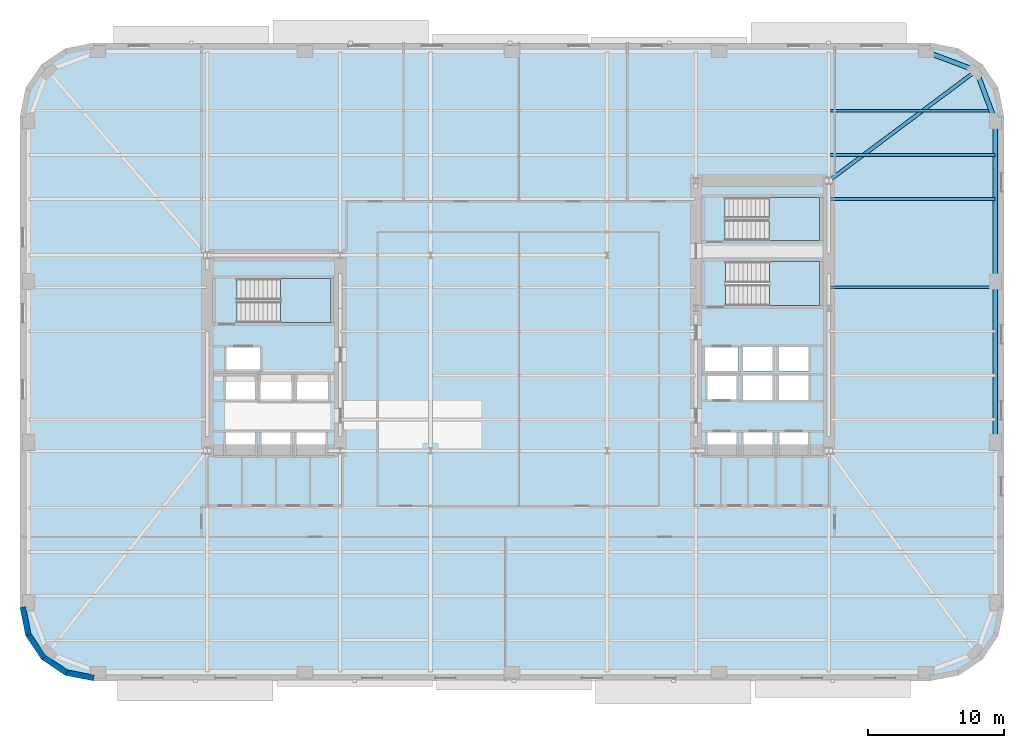
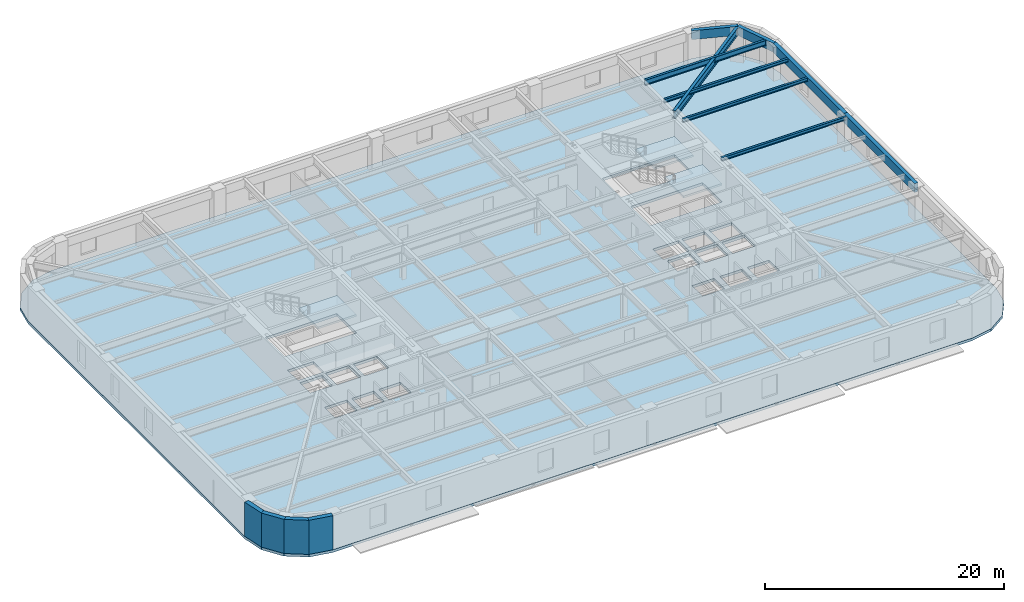
# One storey, part 3 of 15: 9 beams, 4 slabs, 4 walls, 3 elements without a shape of their own.
"""IFC4 building model written with IfcOpenShell, lengths in metres."""

from ifc_helpers import new_model, si_unit, direction, frame, frame_2d, origin, origin_2d, place, context, subcontext, project, spatial, polyline, rectangle, hollow_rectangle, i_section, outline, extrude, material, layer, layer_set, material_profile, profile_set, type_object, element, aggregate, save


model = new_model("IFC4")

# Units and contexts
model_context = context("Model", 3, precision=1e-05, world=origin(), true_north=direction((0.0, 1.0)))
body_context = subcontext(model_context, "Body", "Model", "MODEL_VIEW")
ifc_project = project(units=[si_unit("LENGTHUNIT", "METRE"), si_unit("AREAUNIT", "SQUARE_METRE"), si_unit("VOLUMEUNIT", "CUBIC_METRE"), si_unit("PLANEANGLEUNIT", "RADIAN"), si_unit("MASSUNIT", "GRAM", prefix="KILO")], contexts=[model_context])

# Site, building, storey
site_placement = place(None, origin())
site = spatial("IfcSite", under=ifc_project, at=site_placement, CompositionType="ELEMENT")
building_placement = place(site_placement, origin())
building = spatial("IfcBuilding", under=site, at=building_placement, Name="Kolvaren Arena Tower", CompositionType="ELEMENT")
storey_placement = place(building_placement, frame((0.0, 0.0, 45.75)))
storey = spatial("IfcBuildingStorey", under=building, at=storey_placement, Name="L08", CompositionType="ELEMENT", Elevation=45.75)

# Beams
ifc_material_1 = material(Name="Steel CSA G40.21 350W", Category="steel")
ifc_material_profile_1 = material_profile(ifc_material_1, i_section(OverallWidth=0.2119140625, OverallDepth=0.54296875, WebThickness=0.01318359375, FlangeThickness=0.0244140625, FilletRadius=0.013916015625, at=origin_2d()), Name="W530x150")
ifc_profile_set_1 = profile_set([ifc_material_profile_1], Name="Steel CSA G40.21 350W")
beam_type_1 = type_object("IfcBeamType", Name="BEAM-F1", PredefinedType="BEAM", material=ifc_profile_set_1)
beam_1_placement = place(storey_placement, frame((60.485107421875, 44.5, 3.20849609375), z_axis=(1.0, 0.0, 0.0), x_axis=(0.0, 1.0, 0.0)))
element("IfcBeam", 1, at=beam_1_placement, inside=storey, type_object=beam_type_1, Name="Composite Floor Beam (L08)", PredefinedType="BEAM", context=body_context, shape_type="SweptSolid", body=[
    extrude(i_section(OverallWidth=0.2119140625, OverallDepth=0.54296875, WebThickness=0.01318359375, FlangeThickness=0.0244140625, FilletRadius=0.013916015625, at=origin_2d()), origin(), (0.0, 0.0, 1.0), 11.83349609375),
])
ifc_material_profile_2 = material_profile(ifc_material_1, i_section(OverallWidth=0.27001953125, OverallDepth=0.77294921875, WebThickness=0.019287109375, FlangeThickness=0.033447265625, FilletRadius=0.01806640625, at=origin_2d()), Name="W760x257")
ifc_profile_set_2 = profile_set([ifc_material_profile_2], Name="Steel CSA G40.21 350W")
beam_type_2 = type_object("IfcBeamType", Name="GIRD-T1", PredefinedType="BEAM", material=ifc_profile_set_2)
beam_2_placement = place(storey_placement, frame((71.208740234375, 47.458740234375, 3.093505859375), z_axis=(-0.801249936397, -0.598329791523, 0.0), x_axis=(0.598329791523, -0.801249936397, 0.0)))
element("IfcBeam", 2, at=beam_2_placement, inside=storey, type_object=beam_type_2, Name="Corner Diagonal Tie Girder (L08)", PredefinedType="BEAM", context=body_context, shape_type="SweptSolid", body=[
    extrude(i_section(OverallWidth=0.27001953125, OverallDepth=0.77294921875, WebThickness=0.019287109375, FlangeThickness=0.033447265625, FilletRadius=0.01806640625, at=origin_2d()), origin(), (0.0, 0.0, 1.0), 13.55224609375),
])
ifc_material_profile_3 = material_profile(ifc_material_1, i_section(OverallWidth=0.202880859375, OverallDepth=0.346923828125, WebThickness=0.0078125, FlangeThickness=0.013427734375, FilletRadius=0.010986328125, at=origin_2d()), Name="W360x64")
ifc_profile_set_3 = profile_set([ifc_material_profile_3], Name="Steel CSA G40.21 350W")
beam_type_3 = type_object("IfcBeamType", Name="JOIST-01", PredefinedType="JOIST", material=ifc_profile_set_3)
for number, where, z_axis, x_axis, name in (
    (3, (60.3701171875, 31.5, 3.306396484375), (1.0, 0.0, 0.0), (0.0, 1.0, 0.0), "Composite Floor Joist (L08)"),
    (4, (60.3701171875, 38.0, 3.306396484375), (1.0, 0.0, 0.0), (0.0, 1.0, 0.0), "Composite Floor Joist (L08)"),
):
    element("IfcBeam", number, at=place(storey_placement, frame(where, z_axis=z_axis, x_axis=x_axis)), inside=storey, type_object=beam_type_3, Name=name, PredefinedType="JOIST", context=body_context, shape_type="SweptSolid", body=[
        extrude(i_section(OverallWidth=0.202880859375, OverallDepth=0.346923828125, WebThickness=0.0078125, FlangeThickness=0.013427734375, FilletRadius=0.010986328125, at=origin_2d()), origin(), (0.0, 0.0, 1.0), 12.22998046875),
    ])
beam_3_placement = place(storey_placement, frame((60.485107421875, 41.25, 3.306396484375), z_axis=(1.0, 0.0, 0.0), x_axis=(0.0, 1.0, 0.0)))
element("IfcBeam", 5, at=beam_3_placement, inside=storey, type_object=beam_type_3, Name="Composite Floor Joist (L08)", PredefinedType="JOIST", context=body_context, shape_type="SweptSolid", body=[
    extrude(i_section(OverallWidth=0.202880859375, OverallDepth=0.346923828125, WebThickness=0.0078125, FlangeThickness=0.013427734375, FilletRadius=0.010986328125, at=origin_2d()), origin(), (0.0, 0.0, 1.0), 12.114990234375),
])
ifc_material_2 = material(Name="Steel CSA G40.21 350WT", Category="steel")
ifc_material_profile_4 = material_profile(ifc_material_2, hollow_rectangle(XDim=0.35009765625, YDim=0.89990234375, WallThickness=0.02001953125, at=origin_2d()), Name="HSS 900x350x20")
ifc_profile_set_4 = profile_set([ifc_material_profile_4], Name="Steel CSA G40.21 350WT")
beam_type_4 = type_object("IfcBeamType", Name="SPAND-01", PredefinedType="SPANDREL", material=ifc_profile_set_4)
beam_4_placement = place(storey_placement, frame((72.60009765625, 20.083251953125, 3.030029296875), z_axis=(0.0, 1.0, 0.0), x_axis=(-1.0, 0.0, 0.0)))
element("IfcBeam", 6, at=beam_4_placement, inside=storey, type_object=beam_type_4, Name="Perimeter Spandrel Beam (L08)", PredefinedType="SPANDREL", context=body_context, shape_type="SweptSolid", body=[
    extrude(hollow_rectangle(XDim=0.35009765625, YDim=0.89990234375, WallThickness=0.02001953125, at=origin_2d()), origin(), (0.0, 0.0, 1.0), 11.83349609375),
])
beam_5_placement = place(storey_placement, frame((72.60009765625, 31.916748046875, 3.030029296875), z_axis=(0.0, 1.0, 0.0), x_axis=(-1.0, 0.0, 0.0)))
element("IfcBeam", 7, at=beam_5_placement, inside=storey, type_object=beam_type_4, Name="Perimeter Spandrel Beam (L08)", PredefinedType="SPANDREL", context=body_context, shape_type="SweptSolid", body=[
    extrude(hollow_rectangle(XDim=0.35009765625, YDim=0.89990234375, WallThickness=0.02001953125, at=origin_2d()), origin(), (0.0, 0.0, 1.0), 11.833251953125),
])
for number, where, z_axis, x_axis, name in (
    (8, (72.60009765625, 43.75, 3.030029296875), (-0.351251771955, 0.93628104365, 0.0), (-0.93628104365, -0.351251771955, 0.0), "Perimeter Spandrel Beam (L08)"),
    (9, (71.208740234375, 47.458740234375, 3.030029296875), (-0.93628104365, 0.351251771955, 0.0), (-0.351251771955, -0.93628104365, 0.0), "Perimeter Spandrel Beam (L08)"),
):
    element("IfcBeam", number, at=place(storey_placement, frame(where, z_axis=z_axis, x_axis=x_axis)), inside=storey, type_object=beam_type_4, Name=name, PredefinedType="SPANDREL", context=body_context, shape_type="SweptSolid", body=[
        extrude(hollow_rectangle(XDim=0.35009765625, YDim=0.89990234375, WallThickness=0.02001953125, at=origin_2d()), origin(), (0.0, 0.0, 1.0), 3.961181640625),
    ])

# Stair, slab
ifc_material_3 = material(Name="Concrete 45 MPa", Category="concrete")
stair_type_1 = type_object("IfcStairType", Name="STAIR-CORE-165", PredefinedType="HALF_TURN_STAIR", material=ifc_material_3)
stair_1_placement = place(storey_placement, origin())
stair_1 = element("IfcStair", 10, at=stair_1_placement, inside=storey, type_object=stair_type_1, Name="L08 ST-W1", PredefinedType="HALF_TURN_STAIR")
ifc_layer_1 = layer(ifc_material_3, 0.199951171875)
ifc_layer_set_1 = layer_set([ifc_layer_1], Name="Concrete 45 MPa")
slab_type_1 = type_object("IfcSlabType", Name="SLAB-LAND", PredefinedType="LANDING", material=ifc_layer_set_1)
slab_1_placement = place(storey_placement, frame((0.0, 0.0, 1.675048828125)))
slab_1 = element("IfcSlab", 11, at=slab_1_placement, type_object=slab_type_1, Name="ST-W1 landing 1", PredefinedType="LANDING", context=body_context, shape_type="SweptSolid", body=[
    extrude(outline(polyline([(19.9599609375, 28.89990234375), (23.659912109375, 28.89990234375), (23.659912109375, 32.1298828125), (19.9599609375, 32.1298828125), (19.9599609375, 28.89990234375)])), origin(), (0.0, 0.0, 1.0), 0.199951171875),
])
aggregate(stair_1, [slab_1])

stair_2_placement = place(storey_placement, origin())
stair_2 = element("IfcStair", 12, at=stair_2_placement, inside=storey, type_object=stair_type_1, Name="L08 ST-E1", PredefinedType="HALF_TURN_STAIR")
slab_2_placement = place(storey_placement, frame((0.0, 0.0, 1.675048828125)))
slab_2 = element("IfcSlab", 13, at=slab_2_placement, type_object=slab_type_1, Name="ST-E1 landing 1", PredefinedType="LANDING", context=body_context, shape_type="SweptSolid", body=[
    extrude(outline(polyline([(55.9599609375, 30.14990234375), (59.659912109375, 30.14990234375), (59.659912109375, 33.3798828125), (55.9599609375, 33.3798828125), (55.9599609375, 30.14990234375)])), origin(), (0.0, 0.0, 1.0), 0.199951171875),
])
aggregate(stair_2, [slab_2])

stair_type_2 = type_object("IfcStairType", Name="STAIR-CORE-150", PredefinedType="HALF_TURN_STAIR", material=ifc_material_3)
stair_3_placement = place(storey_placement, origin())
stair_3 = element("IfcStair", 14, at=stair_3_placement, inside=storey, type_object=stair_type_2, Name="L08 ST-E2", PredefinedType="HALF_TURN_STAIR")
slab_3_placement = place(storey_placement, frame((0.0, 0.0, 1.675048828125)))
slab_3 = element("IfcSlab", 15, at=slab_3_placement, type_object=slab_type_1, Name="ST-E2 landing 1", PredefinedType="LANDING", context=body_context, shape_type="SweptSolid", body=[
    extrude(outline(polyline([(55.919921875, 34.949951171875), (59.659912109375, 34.949951171875), (59.659912109375, 38.10009765625), (55.919921875, 38.10009765625), (55.919921875, 34.949951171875)])), origin(), (0.0, 0.0, 1.0), 0.199951171875),
])
aggregate(stair_3, [slab_3])

# Slab
ifc_layer_2 = layer(ifc_material_3, 0.27001953125)
ifc_layer_set_2 = layer_set([ifc_layer_2], Name="Concrete 45 MPa")
slab_type_2 = type_object("IfcSlabType", Name="SLAB-OFF2", PredefinedType="FLOOR", material=ifc_layer_set_2)
slab_4_placement = place(storey_placement, frame((0.0, 0.0, -0.27001953125)))
element("IfcSlab", 16, at=slab_4_placement, inside=storey, type_object=slab_type_2, Name="L08 Primary Structural Slab", PredefinedType="FLOOR", context=body_context, shape_type="SweptSolid", body=[
    extrude(outline(polyline([(67.85009765625, 2.5), (69.91650390625, 2.9111328125), (71.66845703125, 4.08154296875), (72.8388671875, 5.83349609375), (73.25, 7.89990234375), (73.25, 44.10009765625), (72.8388671875, 46.16650390625), (71.66845703125, 47.91845703125), (69.91650390625, 49.0888671875), (67.85009765625, 49.5), (6.14990234375, 49.5), (4.08349609375, 49.0888671875), (2.33154296875, 47.91845703125), (1.1611328125, 46.16650390625), (0.75, 44.10009765625), (0.75, 7.89990234375), (1.1611328125, 5.83349609375), (2.33154296875, 4.08154296875), (4.08349609375, 2.9111328125), (6.14990234375, 2.5), (67.85009765625, 2.5)]), holes=[polyline([(15.93505859375, 19.0849609375), (15.93505859375, 20.81494140625), (18.06494140625, 20.81494140625), (18.06494140625, 19.0849609375), (15.93505859375, 19.0849609375)]), polyline([(18.534912109375, 19.0849609375), (18.534912109375, 20.81494140625), (20.6650390625, 20.81494140625), (20.6650390625, 19.0849609375), (18.534912109375, 19.0849609375)]), polyline([(21.135009765625, 19.0849609375), (21.135009765625, 20.81494140625), (23.264892578125, 20.81494140625), (23.264892578125, 19.0849609375), (21.135009765625, 19.0849609375)]), polyline([(51.39501953125, 19.0849609375), (51.39501953125, 20.81494140625), (53.52490234375, 20.81494140625), (53.52490234375, 19.0849609375), (51.39501953125, 19.0849609375)]), polyline([(54.054931640625, 19.0849609375), (54.054931640625, 20.81494140625), (56.18505859375, 20.81494140625), (56.18505859375, 19.0849609375), (54.054931640625, 19.0849609375)]), polyline([(56.695068359375, 19.0849609375), (56.695068359375, 20.81494140625), (58.824951171875, 20.81494140625), (58.824951171875, 19.0849609375), (56.695068359375, 19.0849609375)]), polyline([(18.4599609375, 23.135009765625), (18.4599609375, 25.06494140625), (20.739990234375, 25.06494140625), (20.739990234375, 23.135009765625), (18.4599609375, 23.135009765625)]), polyline([(21.159912109375, 23.135009765625), (21.159912109375, 25.06494140625), (23.43994140625, 25.06494140625), (23.43994140625, 23.135009765625), (21.159912109375, 23.135009765625)]), polyline([(54.030029296875, 25.014892578125), (56.2099609375, 25.014892578125), (56.2099609375, 23.18505859375), (54.030029296875, 23.18505859375), (54.030029296875, 25.014892578125)]), polyline([(56.669921875, 25.014892578125), (58.85009765625, 25.014892578125), (58.85009765625, 23.18505859375), (56.669921875, 23.18505859375), (56.669921875, 25.014892578125)]), polyline([(15.93505859375, 23.235107421875), (15.93505859375, 24.965087890625), (18.06494140625, 24.965087890625), (18.06494140625, 23.235107421875), (15.93505859375, 23.235107421875)]), polyline([(51.39501953125, 24.965087890625), (53.52490234375, 24.965087890625), (53.52490234375, 23.235107421875), (51.39501953125, 23.235107421875), (51.39501953125, 24.965087890625)]), polyline([(54.030029296875, 25.284912109375), (54.030029296875, 27.114990234375), (56.2099609375, 27.114990234375), (56.2099609375, 25.284912109375), (54.030029296875, 25.284912109375)]), polyline([(56.669921875, 25.284912109375), (56.669921875, 27.114990234375), (58.85009765625, 27.114990234375), (58.85009765625, 25.284912109375), (56.669921875, 25.284912109375)]), polyline([(15.9599609375, 27.06494140625), (18.43994140625, 27.06494140625), (18.43994140625, 25.3349609375), (15.9599609375, 25.3349609375), (15.9599609375, 27.06494140625)]), polyline([(51.219970703125, 25.3349609375), (51.219970703125, 27.06494140625), (53.699951171875, 27.06494140625), (53.699951171875, 25.3349609375), (51.219970703125, 25.3349609375)]), polyline([(16.735107421875, 28.89990234375), (16.735107421875, 32.1298828125), (23.659912109375, 32.1298828125), (23.659912109375, 28.89990234375), (16.735107421875, 28.89990234375)]), polyline([(52.735107421875, 33.3798828125), (59.659912109375, 33.3798828125), (59.659912109375, 30.14990234375), (52.735107421875, 30.14990234375), (52.735107421875, 33.3798828125)]), polyline([(52.695068359375, 38.10009765625), (59.659912109375, 38.10009765625), (59.659912109375, 34.949951171875), (52.695068359375, 34.949951171875), (52.695068359375, 38.10009765625)])]), origin(), (0.0, 0.0, 1.0), 0.27001953125),
])

# Walls
ifc_material_4 = material(Name="Precast concrete C50/60", Category="concrete")
ifc_layer_3 = layer(ifc_material_4, 0.419921875)
ifc_layer_set_3 = layer_set([ifc_layer_3], Name="Precast concrete C50/60")
wall_type = type_object("IfcWallType", Name="EXT-PIER1", PredefinedType="SOLIDWALL", material=ifc_layer_set_3)
for number, where, z_axis, x_axis, name in (
    (17, (1.3671875, 5.87451171875, 0.0), (0.0, 0.0, 1.0), (-0.195135546048, 0.9807762837, 0.0), "Exterior Precast Masonry-Frame Wall (L08)"),
    (18, (2.506103515625, 4.1982421875, 0.0), (0.0, 0.0, 1.0), (-0.555502146192, 0.831515102434, 0.0), "Exterior Precast Masonry-Frame Wall (L08)"),
    (19, (4.2001953125, 3.085693359375, 0.0), (0.0, 0.0, 1.0), (-0.831515102434, 0.555502146192, 0.0), "Exterior Precast Masonry-Frame Wall (L08)"),
    (20, (6.19091796875, 2.7060546875, 0.0), (0.0, 0.0, 1.0), (-0.9807762837, 0.195135546048, 0.0), "Exterior Precast Masonry-Frame Wall (L08)"),
):
    element("IfcWall", number, at=place(storey_placement, frame(where, z_axis=z_axis, x_axis=x_axis)), inside=storey, type_object=wall_type, Name=name, PredefinedType="SOLIDWALL", context=body_context, shape_type="SweptSolid", body=[
        extrude(rectangle(XDim=2.10693359375, YDim=0.419921875, at=frame_2d((1.053466796875, 0.0))), origin(), (0.0, 0.0, 1.0), 3.47998046875),
    ])

save(model, "model.ifc")
